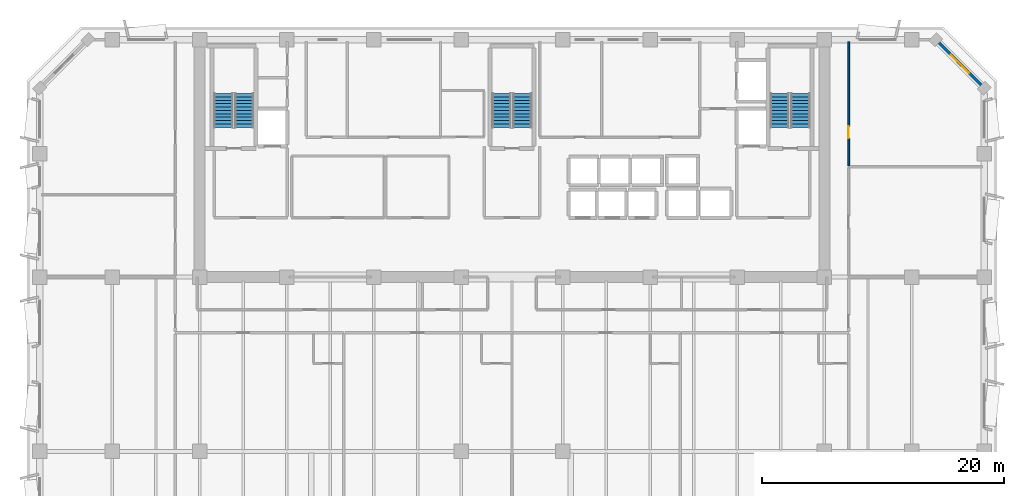
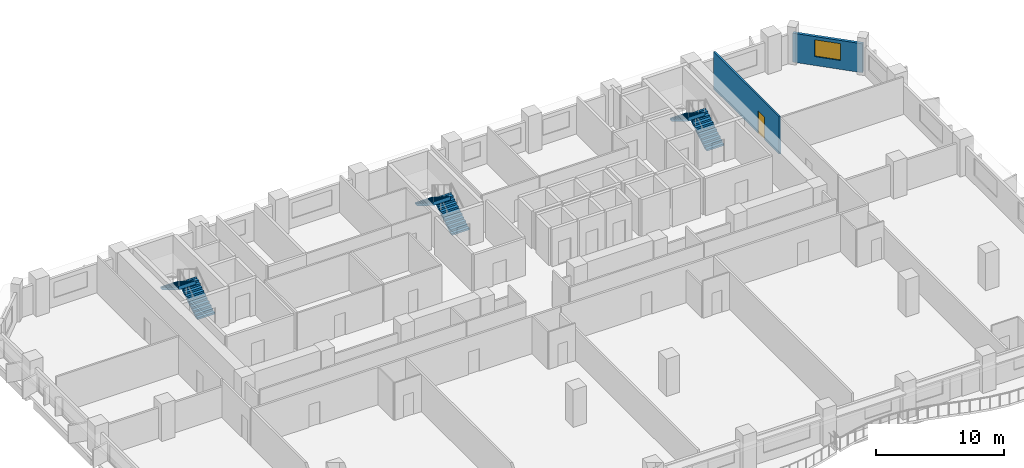
# One storey, part 9 of 14: 6 stair flights, 2 walls, 1 door, 1 window, 2 openings, 3 elements without a shape of their own.
"""IFC4 building model written with IfcOpenShell, lengths in metres."""

from ifc_helpers import new_model, si_unit, direction, frame, frame_2d, origin, place, context, subcontext, project, spatial, polyline, rectangle, outline, extrude, material, layer, layer_set, type_object, element, fill, aggregate, save


model = new_model("IFC4")

# Units and contexts
model_context = context("Model", 3, precision=1e-05, world=origin(), true_north=direction((0.0, 1.0)))
body_context = subcontext(model_context, "Body", "Model", "MODEL_VIEW")
ifc_project = project(units=[si_unit("LENGTHUNIT", "METRE"), si_unit("AREAUNIT", "SQUARE_METRE"), si_unit("VOLUMEUNIT", "CUBIC_METRE"), si_unit("PLANEANGLEUNIT", "RADIAN"), si_unit("MASSUNIT", "GRAM", prefix="KILO")], contexts=[model_context])

# Site, building, storey
site_placement = place(None, origin())
site = spatial("IfcSite", under=ifc_project, at=site_placement, CompositionType="ELEMENT")
building_placement = place(site_placement, origin())
building = spatial("IfcBuilding", under=site, at=building_placement, Name="Kaelvorn Grand Hotel", CompositionType="ELEMENT")
storey_placement = place(building_placement, frame((0.0, 0.0, 216.75)))
storey = spatial("IfcBuildingStorey", under=building, at=storey_placement, Name="L53", CompositionType="ELEMENT", Elevation=216.75)

# Wall, opening, window
ifc_material_1 = material(Name="Concrete C40/50", Category="concrete")
ifc_layer_1 = layer(ifc_material_1, 0.239990234375)
ifc_layer_set_1 = layer_set([ifc_layer_1], Name="Concrete C40/50")
wall_type_1 = type_object("IfcWallType", Name="WL-EXT-240-C40", PredefinedType="SOLIDWALL", material=ifc_layer_set_1)
wall_1_placement = place(storey_placement, frame((81.0, 45.0, 0.0), z_axis=(0.0, 0.0, 1.0), x_axis=(-0.707106781187, 0.707106781187, 0.0)))
wall_1 = element("IfcWall", 1, at=wall_1_placement, inside=storey, type_object=wall_type_1, Name="L53 Exterior Architectural Concrete Wall 04", PredefinedType="SOLIDWALL", context=body_context, shape_type="SweptSolid", body=[
    extrude(rectangle(XDim=5.65673828125, YDim=0.239990234375, at=frame_2d((2.828369140625, 0.0))), origin(), (0.0, 0.0, 1.0), 2.760009765625),
])
opening_1_placement = place(wall_1_placement, frame((1.7783203125, 0.0, 0.85009765625)))
opening_1 = element("IfcOpeningElement", 2, at=opening_1_placement, cuts=wall_1, Name="Opening W7", PredefinedType="OPENING", context=body_context, shape_type="SweptSolid", body=[
    extrude(rectangle(XDim=2.10009765625, YDim=1.60009765625, at=frame_2d((1.050048828125, 0.800048828125))), frame((0.0, 0.1298828125, 0.0), z_axis=(0.0, -1.0, 0.0), x_axis=(1.0, 0.0, 0.0)), (0.0, 0.0, 1.0), 0.260009765625),
])
ifc_material_2 = material(Name="Laminated Low-E Glass", Category="glass")
window_type = type_object("IfcWindowType", Name="WIN-CHM-2100x1600", PartitioningType="SINGLE_PANEL", PredefinedType="WINDOW", material=ifc_material_2)
window_placement = place(opening_1_placement, origin())
window = element("IfcWindow", 3, at=window_placement, inside=storey, type_object=window_type, Name="L53 Chamfered 45-Degree Corner Window NE", OverallHeight=1.60009765625, OverallWidth=2.10009765625, PartitioningType="SINGLE_PANEL", PredefinedType="WINDOW", context=body_context, shape_type="SweptSolid", body=[
    extrude(rectangle(XDim=2.10009765625, YDim=1.60009765625, at=frame_2d((1.050048828125, 0.800048828125))), frame((0.0, 0.030029296875, 0.0), z_axis=(0.0, -1.0, 0.0), x_axis=(1.0, 0.0, 0.0)), (0.0, 0.0, 1.0), 0.06005859375),
])
fill(opening_1, window)

# Wall, opening, door
ifc_material_3 = material(Name="Acoustic Gypsum & Stud Partition")
ifc_layer_2 = layer(ifc_material_3, 0.14990234375)
ifc_layer_set_2 = layer_set([ifc_layer_2], Name="Acoustic Gypsum & Stud Partition")
wall_type_2 = type_object("IfcWallType", Name="WL-PART-150-EI60", PredefinedType="PARTITIONING", material=ifc_layer_set_2)
wall_2_placement = place(storey_placement, frame((69.800048828125, 38.580078125, 0.0), z_axis=(0.0, 0.0, 1.0), x_axis=(0.0, 1.0, 0.0)))
wall_2 = element("IfcWall", 4, at=wall_2_placement, inside=storey, type_object=wall_type_2, Name="L53 North-East Botanical Conservatory Salon W Partition", PredefinedType="PARTITIONING", context=body_context, shape_type="SweptSolid", body=[
    extrude(rectangle(XDim=10.27001953125, YDim=0.14990234375, at=frame_2d((5.135009765625, 0.0))), origin(), (0.0, 0.0, 1.0), 3.56005859375),
])
opening_2_placement = place(wall_2_placement, frame((2.27001953125, 0.0, 0.0)))
opening_2 = element("IfcOpeningElement", 5, at=opening_2_placement, cuts=wall_2, Name="Opening DI3", PredefinedType="OPENING", context=body_context, shape_type="SweptSolid", body=[
    extrude(rectangle(XDim=1.0, YDim=2.14990234375, at=frame_2d((0.5, 1.074951171875))), frame((0.0, 0.0849609375, 0.0), z_axis=(0.0, -1.0, 0.0), x_axis=(1.0, 0.0, 0.0)), (0.0, 0.0, 1.0), 0.169921875),
])
ifc_material_4 = material(Name="Timber Veneer Fire Leaf", Category="wood")
door_type = type_object("IfcDoorType", Name="DR-INT-GUEST-1000x2150", OperationType="NOTDEFINED", PredefinedType="DOOR", material=ifc_material_4)
door_placement = place(opening_2_placement, origin())
door = element("IfcDoor", 6, at=door_placement, inside=storey, type_object=door_type, Name="L53 North-East Botanical Conservatory Salon Door", OperationType="SINGLE_SWING_LEFT", OverallHeight=2.14990234375, OverallWidth=1.0, PredefinedType="DOOR", context=body_context, shape_type="SweptSolid", body=[
    extrude(rectangle(XDim=1.0, YDim=2.14990234375, at=frame_2d((0.5, 1.074951171875))), frame((0.0, 0.02490234375, 0.0), z_axis=(0.0, -1.0, 0.0), x_axis=(1.0, 0.0, 0.0)), (0.0, 0.0, 1.0), 0.050048828125),
])
fill(opening_2, door)

# Stair, stair flights
stair_type = type_object("IfcStairType", Name="STR-DOG-1560-R08", PredefinedType="HALF_TURN_STAIR", material=ifc_material_1)
stair_1_placement = place(storey_placement, origin())
stair_1 = element("IfcStair", 7, at=stair_1_placement, inside=storey, type_object=stair_type, Name="L53 West Core Exit Stair ST1", PredefinedType="HALF_TURN_STAIR")
stair_flight_type = type_object("IfcStairFlightType", Name="FLG-DOG-1560-R08", PredefinedType="STRAIGHT", material=ifc_material_1)
stair_flight_1_placement = place(storey_placement, frame((19.89990234375, 41.760009765625, 0.0), z_axis=(0.0, 0.0, 1.0), x_axis=(0.0, 1.0, 0.0)))
stair_flight_1 = element("IfcStairFlight", 8, at=stair_flight_1_placement, type_object=stair_flight_type, Name="ST1 flight 1", NumberOfRisers=11, NumberOfTreads=10, PredefinedType="STRAIGHT", RiserHeight=0.172727273, TreadLength=0.28, context=body_context, shape_type="SweptSolid", body=[
    extrude(outline(polyline([(-0.0048828125, 0.0), (-0.0048828125, 0.0400390625), (0.0, 0.172607421875), (0.280029296875, 0.172607421875), (0.280029296875, 0.345458984375), (0.56005859375, 0.345458984375), (0.56005859375, 0.51806640625), (0.840087890625, 0.51806640625), (0.840087890625, 0.69091796875), (1.1201171875, 0.69091796875), (1.1201171875, 0.863525390625), (1.39990234375, 0.863525390625), (1.39990234375, 1.036376953125), (1.679931640625, 1.036376953125), (1.679931640625, 1.208984375), (1.9599609375, 1.208984375), (1.9599609375, 1.3818359375), (2.239990234375, 1.3818359375), (2.239990234375, 1.554443359375), (2.52001953125, 1.554443359375), (2.52001953125, 1.727294921875), (2.800048828125, 1.727294921875), (2.800048828125, 1.89990234375), (2.804931640625, 1.89990234375), (2.804931640625, 1.551025390625), (0.285400390625, 0.0), (-0.0048828125, 0.0)])), frame((0.0, 0.780029296875, 0.0), z_axis=(0.0, -1.0, 0.0), x_axis=(1.0, 0.0, 0.0)), (0.0, 0.0, 1.0), 1.56005859375),
])
stair_flight_2_placement = place(storey_placement, frame((18.179931640625, 44.56005859375, 1.89990234375), z_axis=(0.0, 0.0, 1.0), x_axis=(0.0, -1.0, 0.0)))
stair_flight_2 = element("IfcStairFlight", 9, at=stair_flight_2_placement, type_object=stair_flight_type, Name="ST1 flight 2", NumberOfRisers=11, NumberOfTreads=10, PredefinedType="STRAIGHT", RiserHeight=0.172727273, TreadLength=0.28, context=body_context, shape_type="SweptSolid", body=[
    extrude(outline(polyline([(-0.0048828125, 0.0), (-0.0048828125, 0.0400390625), (0.0, 0.172607421875), (0.280029296875, 0.172607421875), (0.280029296875, 0.345458984375), (0.56005859375, 0.345458984375), (0.56005859375, 0.51806640625), (0.840087890625, 0.51806640625), (0.840087890625, 0.69091796875), (1.1201171875, 0.69091796875), (1.1201171875, 0.863525390625), (1.39990234375, 0.863525390625), (1.39990234375, 1.036376953125), (1.679931640625, 1.036376953125), (1.679931640625, 1.208984375), (1.9599609375, 1.208984375), (1.9599609375, 1.3818359375), (2.239990234375, 1.3818359375), (2.239990234375, 1.554443359375), (2.52001953125, 1.554443359375), (2.52001953125, 1.727294921875), (2.800048828125, 1.727294921875), (2.800048828125, 1.89990234375), (2.804931640625, 1.89990234375), (2.804931640625, 1.551025390625), (0.285400390625, 0.0), (-0.0048828125, 0.0)])), frame((0.0, 0.780029296875, 0.0), z_axis=(0.0, -1.0, 0.0), x_axis=(1.0, 0.0, 0.0)), (0.0, 0.0, 1.0), 1.56005859375),
])
aggregate(stair_1, [stair_flight_1, stair_flight_2])

stair_2_placement = place(storey_placement, origin())
stair_2 = element("IfcStair", 10, at=stair_2_placement, inside=storey, type_object=stair_type, Name="L53 Central Core Exit Stair ST2", PredefinedType="HALF_TURN_STAIR")
stair_flight_3_placement = place(storey_placement, frame((42.860107421875, 41.760009765625, 0.0), z_axis=(0.0, 0.0, 1.0), x_axis=(0.0, 1.0, 0.0)))
stair_flight_3 = element("IfcStairFlight", 11, at=stair_flight_3_placement, type_object=stair_flight_type, Name="ST2 flight 1", NumberOfRisers=11, NumberOfTreads=10, PredefinedType="STRAIGHT", RiserHeight=0.172727273, TreadLength=0.28, context=body_context, shape_type="SweptSolid", body=[
    extrude(outline(polyline([(-0.0048828125, 0.0), (-0.0048828125, 0.0400390625), (0.0, 0.172607421875), (0.280029296875, 0.172607421875), (0.280029296875, 0.345458984375), (0.56005859375, 0.345458984375), (0.56005859375, 0.51806640625), (0.840087890625, 0.51806640625), (0.840087890625, 0.69091796875), (1.1201171875, 0.69091796875), (1.1201171875, 0.863525390625), (1.39990234375, 0.863525390625), (1.39990234375, 1.036376953125), (1.679931640625, 1.036376953125), (1.679931640625, 1.208984375), (1.9599609375, 1.208984375), (1.9599609375, 1.3818359375), (2.239990234375, 1.3818359375), (2.239990234375, 1.554443359375), (2.52001953125, 1.554443359375), (2.52001953125, 1.727294921875), (2.800048828125, 1.727294921875), (2.800048828125, 1.89990234375), (2.804931640625, 1.89990234375), (2.804931640625, 1.551025390625), (0.285400390625, 0.0), (-0.0048828125, 0.0)])), frame((0.0, 0.780029296875, 0.0), z_axis=(0.0, -1.0, 0.0), x_axis=(1.0, 0.0, 0.0)), (0.0, 0.0, 1.0), 1.56005859375),
])
stair_flight_4_placement = place(storey_placement, frame((41.139892578125, 44.56005859375, 1.89990234375), z_axis=(0.0, 0.0, 1.0), x_axis=(0.0, -1.0, 0.0)))
stair_flight_4 = element("IfcStairFlight", 12, at=stair_flight_4_placement, type_object=stair_flight_type, Name="ST2 flight 2", NumberOfRisers=11, NumberOfTreads=10, PredefinedType="STRAIGHT", RiserHeight=0.172727273, TreadLength=0.28, context=body_context, shape_type="SweptSolid", body=[
    extrude(outline(polyline([(-0.0048828125, 0.0), (-0.0048828125, 0.0400390625), (0.0, 0.172607421875), (0.280029296875, 0.172607421875), (0.280029296875, 0.345458984375), (0.56005859375, 0.345458984375), (0.56005859375, 0.51806640625), (0.840087890625, 0.51806640625), (0.840087890625, 0.69091796875), (1.1201171875, 0.69091796875), (1.1201171875, 0.863525390625), (1.39990234375, 0.863525390625), (1.39990234375, 1.036376953125), (1.679931640625, 1.036376953125), (1.679931640625, 1.208984375), (1.9599609375, 1.208984375), (1.9599609375, 1.3818359375), (2.239990234375, 1.3818359375), (2.239990234375, 1.554443359375), (2.52001953125, 1.554443359375), (2.52001953125, 1.727294921875), (2.800048828125, 1.727294921875), (2.800048828125, 1.89990234375), (2.804931640625, 1.89990234375), (2.804931640625, 1.551025390625), (0.285400390625, 0.0), (-0.0048828125, 0.0)])), frame((0.0, 0.780029296875, 0.0), z_axis=(0.0, -1.0, 0.0), x_axis=(1.0, 0.0, 0.0)), (0.0, 0.0, 1.0), 1.56005859375),
])
aggregate(stair_2, [stair_flight_3, stair_flight_4])

stair_3_placement = place(storey_placement, origin())
stair_3 = element("IfcStair", 13, at=stair_3_placement, inside=storey, type_object=stair_type, Name="L53 East Core Exit Stair ST3", PredefinedType="HALF_TURN_STAIR")
stair_flight_5_placement = place(storey_placement, frame((65.820068359375, 41.760009765625, 0.0), z_axis=(0.0, 0.0, 1.0), x_axis=(0.0, 1.0, 0.0)))
stair_flight_5 = element("IfcStairFlight", 14, at=stair_flight_5_placement, type_object=stair_flight_type, Name="ST3 flight 1", NumberOfRisers=11, NumberOfTreads=10, PredefinedType="STRAIGHT", RiserHeight=0.172727273, TreadLength=0.28, context=body_context, shape_type="SweptSolid", body=[
    extrude(outline(polyline([(-0.0048828125, 0.0), (-0.0048828125, 0.0400390625), (0.0, 0.172607421875), (0.280029296875, 0.172607421875), (0.280029296875, 0.345458984375), (0.56005859375, 0.345458984375), (0.56005859375, 0.51806640625), (0.840087890625, 0.51806640625), (0.840087890625, 0.69091796875), (1.1201171875, 0.69091796875), (1.1201171875, 0.863525390625), (1.39990234375, 0.863525390625), (1.39990234375, 1.036376953125), (1.679931640625, 1.036376953125), (1.679931640625, 1.208984375), (1.9599609375, 1.208984375), (1.9599609375, 1.3818359375), (2.239990234375, 1.3818359375), (2.239990234375, 1.554443359375), (2.52001953125, 1.554443359375), (2.52001953125, 1.727294921875), (2.800048828125, 1.727294921875), (2.800048828125, 1.89990234375), (2.804931640625, 1.89990234375), (2.804931640625, 1.551025390625), (0.285400390625, 0.0), (-0.0048828125, 0.0)])), frame((0.0, 0.780029296875, 0.0), z_axis=(0.0, -1.0, 0.0), x_axis=(1.0, 0.0, 0.0)), (0.0, 0.0, 1.0), 1.56005859375),
])
stair_flight_6_placement = place(storey_placement, frame((64.10009765625, 44.56005859375, 1.89990234375), z_axis=(0.0, 0.0, 1.0), x_axis=(0.0, -1.0, 0.0)))
stair_flight_6 = element("IfcStairFlight", 15, at=stair_flight_6_placement, type_object=stair_flight_type, Name="ST3 flight 2", NumberOfRisers=11, NumberOfTreads=10, PredefinedType="STRAIGHT", RiserHeight=0.172727273, TreadLength=0.28, context=body_context, shape_type="SweptSolid", body=[
    extrude(outline(polyline([(-0.0048828125, 0.0), (-0.0048828125, 0.0400390625), (0.0, 0.172607421875), (0.280029296875, 0.172607421875), (0.280029296875, 0.345458984375), (0.56005859375, 0.345458984375), (0.56005859375, 0.51806640625), (0.840087890625, 0.51806640625), (0.840087890625, 0.69091796875), (1.1201171875, 0.69091796875), (1.1201171875, 0.863525390625), (1.39990234375, 0.863525390625), (1.39990234375, 1.036376953125), (1.679931640625, 1.036376953125), (1.679931640625, 1.208984375), (1.9599609375, 1.208984375), (1.9599609375, 1.3818359375), (2.239990234375, 1.3818359375), (2.239990234375, 1.554443359375), (2.52001953125, 1.554443359375), (2.52001953125, 1.727294921875), (2.800048828125, 1.727294921875), (2.800048828125, 1.89990234375), (2.804931640625, 1.89990234375), (2.804931640625, 1.551025390625), (0.285400390625, 0.0), (-0.0048828125, 0.0)])), frame((0.0, 0.780029296875, 0.0), z_axis=(0.0, -1.0, 0.0), x_axis=(1.0, 0.0, 0.0)), (0.0, 0.0, 1.0), 1.56005859375),
])
aggregate(stair_3, [stair_flight_5, stair_flight_6])

save(model, "model.ifc")
